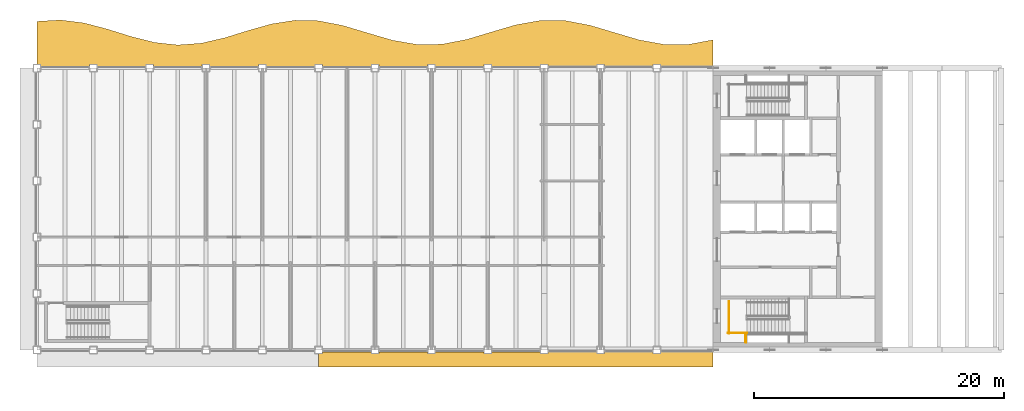
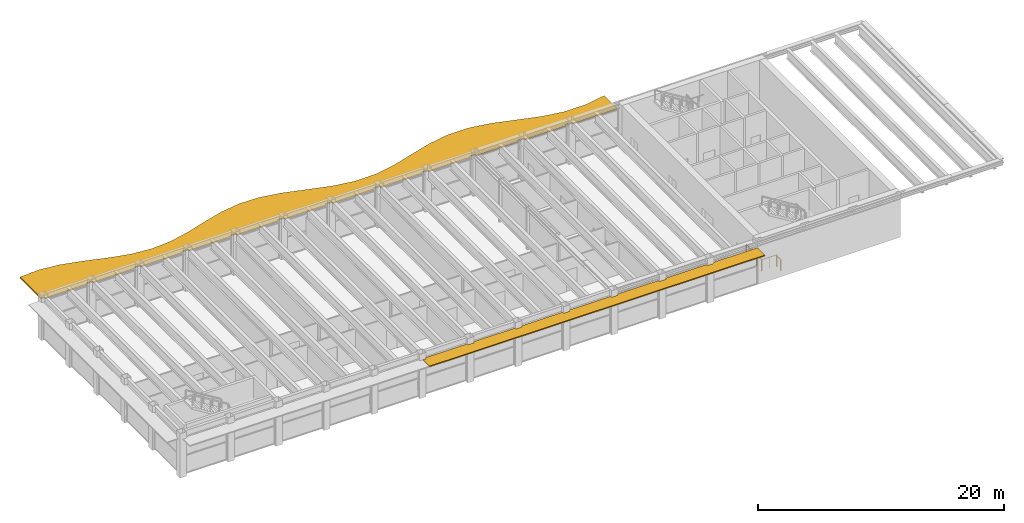
# One storey, part 14 of 15: 3 railings, 2 shading devices.
"""IFC4 building model written with IfcOpenShell, lengths in metres."""

from ifc_helpers import new_model, si_unit, direction, frame, origin, origin_2d, place, context, subcontext, project, spatial, polyline, rectangle, outline, extrude, material, layer, layer_set, type_object, element, save


model = new_model("IFC4")

# Units and contexts
model_context = context("Model", 3, precision=1e-05, world=origin(), true_north=direction((0.0, 1.0)))
body_context = subcontext(model_context, "Body", "Model", "MODEL_VIEW")
ifc_project = project(units=[si_unit("LENGTHUNIT", "METRE"), si_unit("AREAUNIT", "SQUARE_METRE"), si_unit("VOLUMEUNIT", "CUBIC_METRE"), si_unit("PLANEANGLEUNIT", "RADIAN"), si_unit("MASSUNIT", "GRAM", prefix="KILO")], contexts=[model_context])

# Site, building, storey
site_placement = place(None, origin())
site = spatial("IfcSite", under=ifc_project, at=site_placement, CompositionType="ELEMENT")
building_placement = place(site_placement, origin())
building = spatial("IfcBuilding", under=site, at=building_placement, Name="Sennacour Bend Tower", CompositionType="ELEMENT")
storey_placement = place(building_placement, frame((0.0, 0.0, 341.0)))
storey = spatial("IfcBuildingStorey", under=building, at=storey_placement, Name="L78", CompositionType="ELEMENT", Elevation=341.0)

# Railings
ifc_material_1 = material(Name="Stainless steel", Category="steel")
railing_type = type_object("IfcRailingType", Name="RL-GUARD-1100", PredefinedType="GUARDRAIL", material=ifc_material_1)
railing_1_placement = place(storey_placement, frame((55.199951171875, 1.35009765625, 0.0)))
element("IfcRailing", 1, at=railing_1_placement, inside=storey, type_object=railing_type, Name="L78 SA1 stair guard 6", PredefinedType="GUARDRAIL", context=body_context, shape_type="SweptSolid", body=[
    extrude(rectangle(XDim=0.048095703125, YDim=0.048095703125, at=origin_2d()), frame((0.0, 0.0, 1.076171875), z_axis=(1.0, 0.0, 0.0), x_axis=(0.0, 1.0, 0.0)), (0.0, 0.0, 1.0), 1.5),
    extrude(rectangle(XDim=0.0419921875, YDim=0.0419921875, at=origin_2d()), origin(), (0.0, 0.0, 1.0), 1.052001953125),
    extrude(rectangle(XDim=0.0419921875, YDim=0.0419921875, at=origin_2d()), frame((0.75, 0.0, 0.0)), (0.0, 0.0, 1.0), 1.052001953125),
    extrude(rectangle(XDim=0.0419921875, YDim=0.0419921875, at=origin_2d()), frame((1.5, 0.0, 0.0)), (0.0, 0.0, 1.0), 1.052001953125),
])
railing_2_placement = place(storey_placement, frame((55.25, 1.300048828125, 0.0)))
element("IfcRailing", 2, at=railing_2_placement, inside=storey, type_object=railing_type, Name="L78 SA1 stair guard 7", PredefinedType="GUARDRAIL", context=body_context, shape_type="SweptSolid", body=[
    extrude(rectangle(XDim=0.048095703125, YDim=0.048095703125, at=origin_2d()), frame((0.0, 0.0, 1.076171875), z_axis=(0.0, 1.0, 0.0), x_axis=(-1.0, 0.0, 0.0)), (0.0, 0.0, 1.0), 2.550048828125),
    extrude(rectangle(XDim=0.0419921875, YDim=0.0419921875, at=origin_2d()), origin(), (0.0, 0.0, 1.0), 1.052001953125),
    extrude(rectangle(XDim=0.0419921875, YDim=0.0419921875, at=origin_2d()), frame((0.0, 0.85009765625, 0.0)), (0.0, 0.0, 1.0), 1.052001953125),
    extrude(rectangle(XDim=0.0419921875, YDim=0.0419921875, at=origin_2d()), frame((0.0, 1.699951171875, 0.0)), (0.0, 0.0, 1.0), 1.052001953125),
    extrude(rectangle(XDim=0.0419921875, YDim=0.0419921875, at=origin_2d()), frame((0.0, 2.550048828125, 0.0)), (0.0, 0.0, 1.0), 1.052001953125),
])
railing_3_placement = place(storey_placement, frame((56.60009765625, 1.25, 0.0)))
element("IfcRailing", 3, at=railing_3_placement, inside=storey, type_object=railing_type, Name="L78 SA1 landing edge guard 165", PredefinedType="GUARDRAIL", context=body_context, shape_type="SweptSolid", body=[
    extrude(rectangle(XDim=0.048095703125, YDim=0.048095703125, at=origin_2d()), frame((0.0, 0.0, 1.076171875), z_axis=(0.0, -1.0, 0.0), x_axis=(1.0, 0.0, 0.0)), (0.0, 0.0, 1.0), 0.64990234375),
    extrude(rectangle(XDim=0.0419921875, YDim=0.0419921875, at=origin_2d()), origin(), (0.0, 0.0, 1.0), 1.052001953125),
    extrude(rectangle(XDim=0.0419921875, YDim=0.0419921875, at=origin_2d()), frame((0.0, -0.64990234375, 0.0)), (0.0, 0.0, 1.0), 1.052001953125),
])

# Shading devices
ifc_material_2 = material(Name="Bronze anodised aluminium", Category="aluminium")
ifc_layer_1 = layer(ifc_material_2, 0.10009765625, Name="Bronze anodised aluminium", Category="aluminium")
ifc_layer_set_1 = layer_set([ifc_layer_1], Name="Bronze anodised aluminium")
shading_device_type_1 = type_object("IfcShadingDeviceType", Name="SUNSHADE BAND STRAIGHT", PredefinedType="USERDEFINED", material=ifc_layer_set_1)
shading_device_1_placement = place(storey_placement, frame((0.0, 0.0, 3.52197265625)))
element("IfcShadingDevice", 4, at=shading_device_1_placement, inside=storey, type_object=shading_device_type_1, Name="Sunshade band L78 A outer face", ObjectType="SUNSHADE", PredefinedType="USERDEFINED", context=body_context, shape_type="SweptSolid", body=[
    extrude(outline(polyline([(26.699951171875, -0.14990234375), (26.699951171875, -0.300048828125), (27.300048828125, -0.300048828125), (27.300048828125, -0.14990234375), (31.199951171875, -0.14990234375), (31.199951171875, -0.300048828125), (31.800048828125, -0.300048828125), (31.800048828125, -0.14990234375), (35.699951171875, -0.14990234375), (35.699951171875, -0.300048828125), (36.300048828125, -0.300048828125), (36.300048828125, -0.14990234375), (40.199951171875, -0.14990234375), (40.199951171875, -0.300048828125), (40.800048828125, -0.300048828125), (40.800048828125, -0.14990234375), (44.699951171875, -0.14990234375), (44.699951171875, -0.300048828125), (45.300048828125, -0.300048828125), (45.300048828125, -0.14990234375), (49.199951171875, -0.14990234375), (49.199951171875, -0.300048828125), (49.800048828125, -0.300048828125), (49.800048828125, -0.14990234375), (54.0, -0.14990234375), (54.0, -1.35009765625), (22.5, -1.35009765625), (22.5, -0.300048828125), (22.800048828125, -0.300048828125), (22.800048828125, -0.14990234375), (26.699951171875, -0.14990234375)])), origin(), (0.0, 0.0, 1.0), 0.10009765625),
])
ifc_layer_2 = layer(ifc_material_2, 0.1201171875, Name="Bronze anodised aluminium", Category="aluminium")
ifc_layer_set_2 = layer_set([ifc_layer_2], Name="Bronze anodised aluminium")
shading_device_type_2 = type_object("IfcShadingDeviceType", Name="SUNSHADE BAND WAVE", PredefinedType="USERDEFINED", material=ifc_layer_set_2)
shading_device_2_placement = place(storey_placement, frame((0.0, 0.0, 3.501953125)))
element("IfcShadingDevice", 5, at=shading_device_2_placement, inside=storey, type_object=shading_device_type_2, Name="Sunshade band L78 concave faces", ObjectType="SUNSHADE", PredefinedType="USERDEFINED", context=body_context, shape_type="SweptSolid", body=[
    extrude(outline(polyline([(54.0, 22.64990234375), (49.800048828125, 22.64990234375), (49.800048828125, 22.800048828125), (49.199951171875, 22.800048828125), (49.199951171875, 22.64990234375), (45.300048828125, 22.64990234375), (45.300048828125, 22.800048828125), (44.699951171875, 22.800048828125), (44.699951171875, 22.64990234375), (40.800048828125, 22.64990234375), (40.800048828125, 22.800048828125), (40.199951171875, 22.800048828125), (40.199951171875, 22.64990234375), (36.300048828125, 22.64990234375), (36.300048828125, 22.800048828125), (35.699951171875, 22.800048828125), (35.699951171875, 22.64990234375), (31.800048828125, 22.64990234375), (31.800048828125, 22.800048828125), (31.199951171875, 22.800048828125), (31.199951171875, 22.64990234375), (27.300048828125, 22.64990234375), (27.300048828125, 22.800048828125), (26.699951171875, 22.800048828125), (26.699951171875, 22.64990234375), (22.800048828125, 22.64990234375), (22.800048828125, 22.800048828125), (22.199951171875, 22.800048828125), (22.199951171875, 22.64990234375), (18.300048828125, 22.64990234375), (18.300048828125, 22.800048828125), (17.699951171875, 22.800048828125), (17.699951171875, 22.64990234375), (13.800048828125, 22.64990234375), (13.800048828125, 22.800048828125), (13.199951171875, 22.800048828125), (13.199951171875, 22.64990234375), (9.300048828125, 22.64990234375), (9.300048828125, 22.800048828125), (8.699951171875, 22.800048828125), (8.699951171875, 22.64990234375), (4.800048828125, 22.64990234375), (4.800048828125, 22.800048828125), (4.199951171875, 22.800048828125), (4.199951171875, 22.64990234375), (0.300048828125, 22.64990234375), (0.300048828125, 22.800048828125), (0.0, 22.800048828125), (0.0, 26.234375), (1.875, 26.343994140625), (3.75, 26.11181640625), (5.625, 25.617919921875), (7.5, 25.031982421875), (9.375, 24.55517578125), (11.25, 24.3515625), (13.125, 24.4912109375), (15.0, 24.92578125), (16.875, 25.50634765625), (18.75, 26.033203125), (20.625, 26.3251953125), (22.5, 26.281982421875), (24.46875, 25.8935546875), (26.4375, 25.300048828125), (28.40625, 24.725341796875), (30.375, 24.38671875), (32.34375, 24.411865234375), (34.3125, 24.79150390625), (36.28125, 25.382080078125), (38.25, 25.960693359375), (40.21875, 26.30859375), (42.1875, 26.294189453125), (44.15625, 25.92333984375), (46.125, 25.335693359375), (48.09375, 24.753662109375), (50.0625, 24.396728515625), (52.03125, 24.400146484375), (54.0, 24.76220703125), (54.0, 22.64990234375)])), origin(), (0.0, 0.0, 1.0), 0.1201171875),
])

save(model, "model.ifc")
